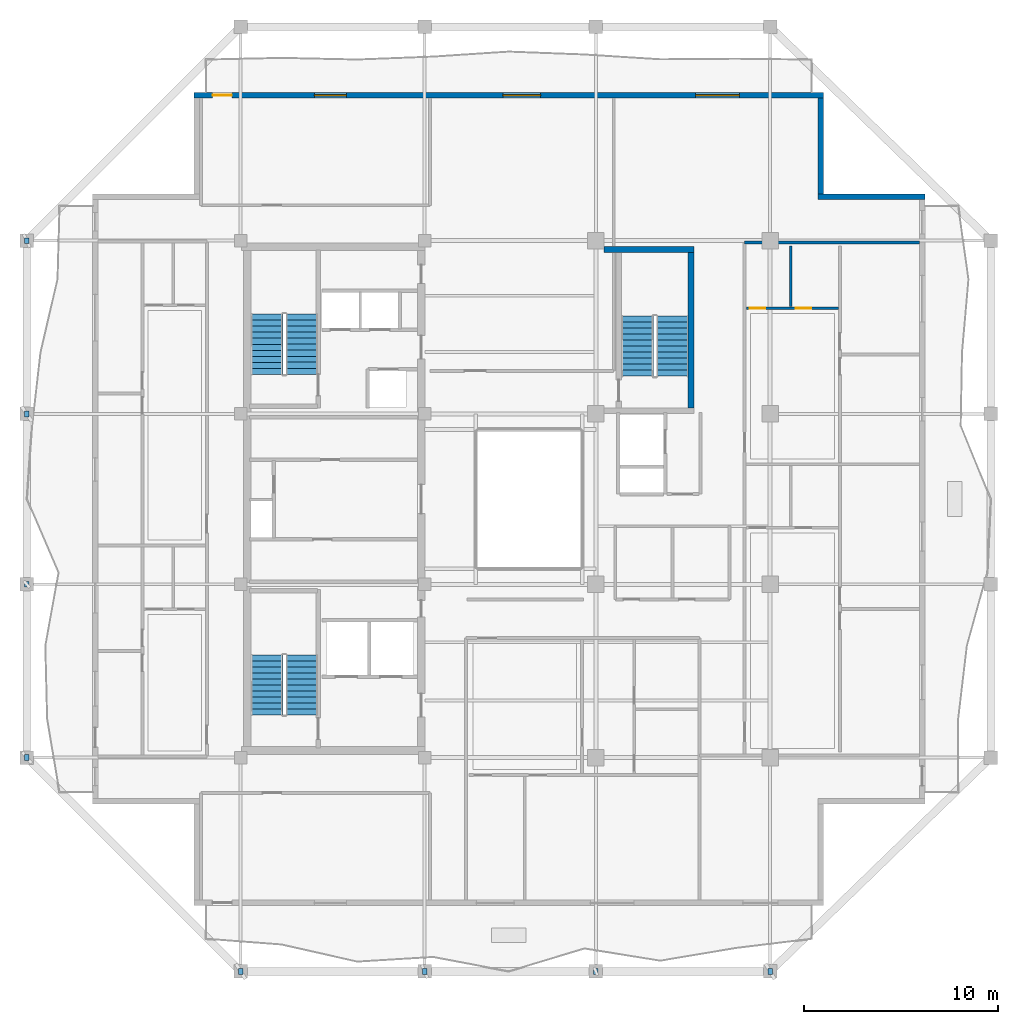
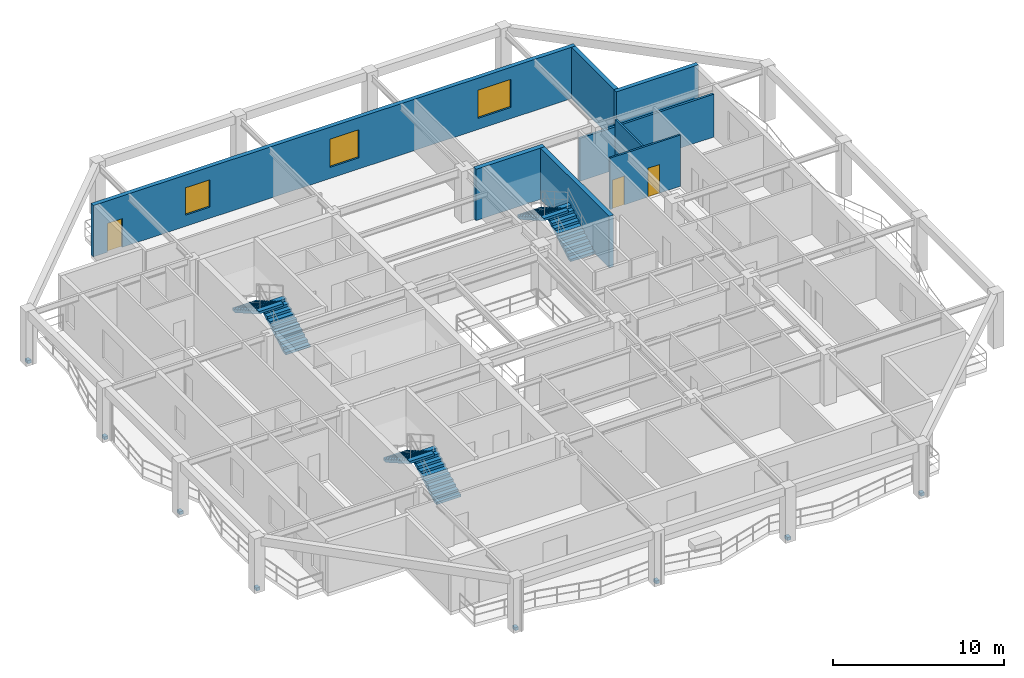
# One storey, part 6 of 12: 8 discrete accessories, 8 walls, 6 stair flights, 3 doors, 3 windows, 6 openings, 3 elements without a shape of their own.
"""IFC4 building model written with IfcOpenShell, lengths in metres."""

import ifcopenshell
import ifcopenshell.guid

model = None  # the IFC model being written
_history = None  # IfcOwnerHistory: only IFC2X3 demands one
_inside = {}  # id of a spatial element -> (the spatial element, [elements in it])
_under = {}  # id of a project, library or spatial element -> (it, [spatial elements below it])
_declared = {}  # id of a project -> (the project, [libraries it declares])
_typed = {}  # id of a type object -> (the type object, [elements of that type])
_made_of = {}  # id of a material, layer set ... -> (it, [elements and type objects made of it])


def new_model(schema):
    """Start an empty IFC model of exactly this schema.

    Asked for "IFC4X3", IfcOpenShell would pick the latest addendum, in which some entities
    have other attributes; the version numbers below select the first issue.
    IFC2X3 requires an IfcOwnerHistory on every rooted entity: one is made here for all.
    """
    global model, _history
    if schema == "IFC4X3":
        model = ifcopenshell.file(schema_version=(4, 3, 0, 0))
    else:
        model = ifcopenshell.file(schema=schema)
    _inside.clear()
    _under.clear()
    _declared.clear()
    _typed.clear()
    _made_of.clear()
    _history = None
    if model.schema == "IFC2X3":
        org = make("IfcOrganization", Name="unknown")
        user = make(
            "IfcPersonAndOrganization",
            ThePerson=make("IfcPerson", FamilyName="unknown"),
            TheOrganization=org,
        )
        app = make(
            "IfcApplication",
            ApplicationDeveloper=org,
            Version="unknown",
            ApplicationFullName="unknown",
            ApplicationIdentifier="unknown",
        )
        _history = make(
            "IfcOwnerHistory",
            OwningUser=user,
            OwningApplication=app,
            ChangeAction="ADDED",
            CreationDate=0,
        )
    return model


def make(cls, **values):
    """One entity of the class cls with the attributes given. An attribute that is None is left unset."""
    return model.create_entity(
        cls, **{name: value for name, value in values.items() if value is not None}
    )


def rooted(cls, **values):
    """An entity with a GlobalId (a new one), such as an element, a storey or a relation."""
    return make(cls, GlobalId=ifcopenshell.guid.new(), OwnerHistory=_history, **values)


def si_unit(unit_type, name, prefix=None):
    """IfcSIUnit, for example si_unit("LENGTHUNIT", "METRE", prefix="MILLI")."""
    return make("IfcSIUnit", UnitType=unit_type, Prefix=prefix, Name=name)


def assignment(units):
    """IfcUnitAssignment: the units of a project."""
    return None if units is None else make("IfcUnitAssignment", Units=units)


def point(xyz):
    """IfcCartesianPoint."""
    return None if xyz is None else make("IfcCartesianPoint", Coordinates=xyz)


def direction(xyz):
    """IfcDirection."""
    return None if xyz is None else make("IfcDirection", DirectionRatios=xyz)


def frame(location, z_axis=None, x_axis=None):
    """IfcAxis2Placement3D, a coordinate frame: its origin and axes. An axis left out is left unset."""
    return make(
        "IfcAxis2Placement3D",
        Location=point(location),
        Axis=direction(z_axis),
        RefDirection=direction(x_axis),
    )


def frame_2d(location, x_axis=None):
    """IfcAxis2Placement2D, a coordinate frame in the plane: its origin and x axis."""
    return make(
        "IfcAxis2Placement2D", Location=point(location), RefDirection=direction(x_axis)
    )


def origin():
    """The frame at (0, 0, 0) with its axes left unset."""
    return frame((0.0, 0.0, 0.0))


def origin_2d():
    """The frame at (0, 0) in the plane with its x axis left unset."""
    return frame_2d((0.0, 0.0))


def place(relative_to, where):
    """IfcLocalPlacement: puts the frame where relative to a parent placement (None: the world)."""
    return make(
        "IfcLocalPlacement", PlacementRelTo=relative_to, RelativePlacement=where
    )


def context(
    kind, dimensions, precision=None, world=None, true_north=None, identifier=None
):
    """IfcGeometricRepresentationContext, for example the 3D "Model" context."""
    return make(
        "IfcGeometricRepresentationContext",
        ContextIdentifier=identifier,
        ContextType=kind,
        CoordinateSpaceDimension=dimensions,
        Precision=precision,
        WorldCoordinateSystem=world,
        TrueNorth=true_north,
    )


def subcontext(parent, identifier, kind, view, scale=None):
    """IfcGeometricRepresentationSubContext, for example "Body" below "Model"."""
    return make(
        "IfcGeometricRepresentationSubContext",
        ContextIdentifier=identifier,
        ContextType=kind,
        ParentContext=parent,
        TargetScale=scale,
        TargetView=view,
    )


def project(units=None, contexts=None):
    """IfcProject with its units and contexts."""
    return rooted(
        "IfcProject",
        Name="project",
        RepresentationContexts=contexts,
        UnitsInContext=assignment(units),
    )


def spatial(cls, under=None, at=None, **own):
    """A site, building, storey or space (cls), placed at a placement, below another one or the project."""
    s = rooted(cls, ObjectPlacement=at, **own)
    if under is not None:
        _under.setdefault(under.id(), (under, []))[1].append(s)
    return s


def polyline(points):
    """IfcPolyline through the points."""
    return make("IfcPolyline", Points=[point(p) for p in points])


def profile(cls, at=None, kind="AREA", **sizes):
    """A parametric profile (cls). Its sizes go by their IFC names, for example OverallWidth=200.0."""
    return make(cls, ProfileType=kind, Position=at, **sizes)


def rectangle(**sizes):
    """IfcRectangleProfileDef."""
    return profile("IfcRectangleProfileDef", **sizes)


def outline(outer, holes=None, kind="AREA"):
    """IfcArbitraryClosedProfileDef: a profile drawn as a closed curve; with holes, ...WithVoids."""
    if holes is None:
        return make("IfcArbitraryClosedProfileDef", ProfileType=kind, OuterCurve=outer)
    return make(
        "IfcArbitraryProfileDefWithVoids",
        ProfileType=kind,
        OuterCurve=outer,
        InnerCurves=holes,
    )


def extrude(swept, where, along, depth):
    """IfcExtrudedAreaSolid: the profile swept, set in the frame where, extruded along a direction by depth."""
    return make(
        "IfcExtrudedAreaSolid",
        SweptArea=swept,
        Position=where,
        ExtrudedDirection=direction(along),
        Depth=depth,
    )


def shape(context_of_items, identifier, shape_type, items):
    """IfcShapeRepresentation: the items that make up one representation, for example the "Body"."""
    return make(
        "IfcShapeRepresentation",
        ContextOfItems=context_of_items,
        RepresentationIdentifier=identifier,
        RepresentationType=shape_type,
        Items=items,
    )


def material(Name=None, Category=None):
    """IfcMaterial."""
    return make("IfcMaterial", Name=Name, Category=Category)


def layer(
    of_material, thickness, ventilated=None, Name=None, Category=None, Priority=None
):
    """IfcMaterialLayer: one layer of a wall or slab, of a material (None: an air gap)."""
    return make(
        "IfcMaterialLayer",
        Material=of_material,
        LayerThickness=thickness,
        IsVentilated=ventilated,
        Name=Name,
        Category=Category,
        Priority=Priority,
    )


def layer_set(layers, Name=None):
    """IfcMaterialLayerSet."""
    return make("IfcMaterialLayerSet", MaterialLayers=layers, LayerSetName=Name)


def made_of(thing, what):
    """Note that an element or type object is made of a material, layer set ...; save() writes the relation."""
    if what is not None:
        _made_of.setdefault(what.id(), (what, []))[1].append(thing)
    return thing


def type_object(cls, material=None, **own):
    """A type object (cls), such as IfcWallType, which elements share."""
    return made_of(rooted(cls, **own), material)


def element(
    cls,
    number,
    at=None,
    inside=None,
    cuts=None,
    type_object=None,
    material=None,
    context=None,
    identifier="Body",
    shape_type=None,
    held_by="IfcProductDefinitionShape",
    body=None,
    shapes=None,
    **own,
):
    """One element of the class cls, such as IfcWall. Its Tag is "e" and its number.

    at: its placement. inside: the storey or other place that contains it. cuts: it is an
    opening in that element (IfcRelVoidsElement). A single representation is given by context,
    identifier, shape_type and body (its items); several are given by shapes. held_by: the class
    of the entity that holds the representations. save() writes the other relations.
    """
    e = rooted(cls, Tag="e%d" % number, ObjectPlacement=at, **own)
    if body is not None:
        shapes = [shape(context, identifier, shape_type, body)]
    if shapes is not None:
        e.Representation = make(held_by, Representations=shapes)
    if inside is not None:
        _inside.setdefault(inside.id(), (inside, []))[1].append(e)
    if cuts is not None:
        rooted(
            "IfcRelVoidsElement", RelatingBuildingElement=cuts, RelatedOpeningElement=e
        )
    if type_object is not None:
        _typed.setdefault(type_object.id(), (type_object, []))[1].append(e)
    return made_of(e, material)


def fill(opening, filler):
    """IfcRelFillsElement: the door or window that sits in an opening."""
    return rooted(
        "IfcRelFillsElement",
        RelatingOpeningElement=opening,
        RelatedBuildingElement=filler,
    )


def aggregate(whole, parts):
    """IfcRelAggregates: a whole, such as a stair, and the parts it consists of."""
    return rooted("IfcRelAggregates", RelatingObject=whole, RelatedObjects=parts)


def save(model, path):
    """Write the relations noted so far, then the file.

    IfcRelAggregates (storeys below a building ...), IfcRelContainedInSpatialStructure (elements
    in a storey), IfcRelDefinesByType, IfcRelAssociatesMaterial and IfcRelDeclares: one each for
    every whole, place, type object, material and project.
    """
    for whole, parts in _under.values():
        aggregate(whole, parts)
    for where, things in _inside.values():
        rooted(
            "IfcRelContainedInSpatialStructure",
            RelatedElements=things,
            RelatingStructure=where,
        )
    for kind, things in _typed.values():
        rooted("IfcRelDefinesByType", RelatedObjects=things, RelatingType=kind)
    for what, things in _made_of.values():
        rooted("IfcRelAssociatesMaterial", RelatedObjects=things, RelatingMaterial=what)
    for by, libraries in _declared.values():
        rooted("IfcRelDeclares", RelatingContext=by, RelatedDefinitions=libraries)
    model.write(path)


model = new_model("IFC4")

# Units and contexts
model_context = context("Model", 3, precision=1e-05, world=origin(), true_north=direction((0.0, 1.0)))
body_context = subcontext(model_context, "Body", "Model", "MODEL_VIEW")
ifc_project = project(units=[si_unit("LENGTHUNIT", "METRE"), si_unit("AREAUNIT", "SQUARE_METRE"), si_unit("VOLUMEUNIT", "CUBIC_METRE"), si_unit("PLANEANGLEUNIT", "RADIAN"), si_unit("MASSUNIT", "GRAM", prefix="KILO")], contexts=[model_context])

# Site, building, storey
site_placement = place(None, origin())
site = spatial("IfcSite", under=ifc_project, at=site_placement, CompositionType="ELEMENT")
building_placement = place(site_placement, origin())
building = spatial("IfcBuilding", under=site, at=building_placement, Name="Kundavana Baori Tower", CompositionType="ELEMENT")
storey_placement = place(building_placement, frame((0.0, 0.0, 245.300048828125)))
storey = spatial("IfcBuildingStorey", under=building, at=storey_placement, Name="L60", CompositionType="ELEMENT", Elevation=245.300048828125)

# Walls
ifc_material_1 = material(Name="Red-Buff Dholpur Sandstone Cladding on Concrete C40/50", Category="masonry")
ifc_layer_1 = layer(ifc_material_1, 0.280029296875, Name="WL-EXT-SAND-280")
ifc_layer_set_1 = layer_set([ifc_layer_1], Name="Red-Buff Dholpur Sandstone Cladding on Concrete C40/50")
wall_type_1 = type_object("IfcWallType", Name="WL-EXT-SAND-280", PredefinedType="STANDARD", material=ifc_layer_set_1)
wall_1_placement = place(storey_placement, frame((50.800048828125, 44.2099609375, 0.0), z_axis=(0.0, 0.0, 1.0), x_axis=(-1.0, 0.0, 0.0)))
element("IfcWall", 1, at=wall_1_placement, inside=storey, type_object=wall_type_1, Name="L60 Exterior Insulated Facade Wall 05", PredefinedType="STANDARD", context=body_context, shape_type="SweptSolid", body=[
    extrude(rectangle(XDim=5.530029296875, YDim=0.280029296875, at=frame_2d((2.76513671875, 0.0))), origin(), (0.0, 0.0, 1.0), 3.659912109375),
])
wall_2_placement = place(storey_placement, frame((45.409912109375, 44.35009765625, 0.0), z_axis=(0.0, 0.0, 1.0), x_axis=(0.0, 1.0, 0.0)))
element("IfcWall", 2, at=wall_2_placement, inside=storey, type_object=wall_type_1, Name="L60 Exterior Insulated Facade Wall 06", PredefinedType="STANDARD", context=body_context, shape_type="SweptSolid", body=[
    extrude(rectangle(XDim=4.969970703125, YDim=0.280029296875, at=frame_2d((2.48486328125, 0.0))), origin(), (0.0, 0.0, 1.0), 3.659912109375),
])

# Wall, openings, door, windows
wall_3_placement = place(storey_placement, frame((45.550048828125, 49.4599609375, 0.0), z_axis=(0.0, 0.0, 1.0), x_axis=(-1.0, 0.0, 0.0)))
wall_3 = element("IfcWall", 3, at=wall_3_placement, inside=storey, type_object=wall_type_1, Name="L60 Exterior Insulated Facade Wall 07", PredefinedType="STANDARD", context=body_context, shape_type="SweptSolid", body=[
    extrude(rectangle(XDim=32.5, YDim=0.280029296875, at=frame_2d((16.25, 0.0))), origin(), (0.0, 0.0, 1.0), 3.659912109375),
])
opening_1_placement = place(wall_3_placement, frame((30.550048828125, 0.0, 0.0)))
opening_1 = element("IfcOpeningElement", 4, at=opening_1_placement, cuts=wall_3, Name="Opening BD-1", PredefinedType="OPENING", context=body_context, shape_type="SweptSolid", body=[
    extrude(rectangle(XDim=1.0, YDim=2.050048828125, at=frame_2d((0.5, 1.02490234375))), frame((0.0, 0.14990234375, 0.0), z_axis=(0.0, -1.0, 0.0), x_axis=(1.0, 0.0, 0.0)), (0.0, 0.0, 1.0), 0.300048828125),
])
opening_2_placement = place(wall_3_placement, frame((24.639892578125, 0.0, 0.800048828125)))
opening_2 = element("IfcOpeningElement", 5, at=opening_2_placement, cuts=wall_3, Name="Opening W-08", PredefinedType="OPENING", context=body_context, shape_type="SweptSolid", body=[
    extrude(rectangle(XDim=1.64990234375, YDim=1.949951171875, at=frame_2d((0.824951171875, 0.97509765625))), frame((0.0, 0.14990234375, 0.0), z_axis=(0.0, -1.0, 0.0), x_axis=(1.0, 0.0, 0.0)), (0.0, 0.0, 1.0), 0.300048828125),
])
opening_3_placement = place(wall_3_placement, frame((14.60498046875, 0.0, 0.800048828125)))
opening_3 = element("IfcOpeningElement", 6, at=opening_3_placement, cuts=wall_3, Name="Opening W-09", PredefinedType="OPENING", context=body_context, shape_type="SweptSolid", body=[
    extrude(rectangle(XDim=1.949951171875, YDim=2.0, at=frame_2d((0.97509765625, 1.0))), frame((0.0, 0.14990234375, 0.0), z_axis=(0.0, -1.0, 0.0), x_axis=(1.0, 0.0, 0.0)), (0.0, 0.0, 1.0), 0.300048828125),
])
opening_4_placement = place(wall_3_placement, frame((4.344970703125, 0.0, 0.800048828125)))
opening_4 = element("IfcOpeningElement", 7, at=opening_4_placement, cuts=wall_3, Name="Opening W-10", PredefinedType="OPENING", context=body_context, shape_type="SweptSolid", body=[
    extrude(rectangle(XDim=2.25, YDim=2.0, at=frame_2d((1.125, 1.0))), frame((0.0, 0.14990234375, 0.0), z_axis=(0.0, -1.0, 0.0), x_axis=(1.0, 0.0, 0.0)), (0.0, 0.0, 1.0), 0.300048828125),
])
ifc_material_2 = material(Name="Architectural Patinated Bronze Metalwork")
door_type_1 = type_object("IfcDoorType", Name="DR-EXT-LOG-1000", OperationType="NOTDEFINED", PredefinedType="DOOR", material=ifc_material_2)
door_1_placement = place(opening_1_placement, frame((1.0, 0.0, 0.0), z_axis=(0.0, 0.0, 1.0), x_axis=(-1.0, 0.0, 0.0)))
door_1 = element("IfcDoor", 8, at=door_1_placement, inside=storey, type_object=door_type_1, Name="L60 Loggia Balcony Access Door N", OperationType="SINGLE_SWING_LEFT", OverallHeight=2.050048828125, OverallWidth=1.0, PredefinedType="DOOR", context=body_context, shape_type="SweptSolid", body=[
    extrude(rectangle(XDim=1.0, YDim=2.050048828125, at=frame_2d((0.5, 1.02490234375))), frame((0.0, 0.02490234375, 0.0), z_axis=(0.0, -1.0, 0.0), x_axis=(1.0, 0.0, 0.0)), (0.0, 0.0, 1.0), 0.050048828125),
])
fill(opening_1, door_1)
ifc_material_3 = material(Name="Double-Glazed Solar-Control Low-E Insulated Glass", Category="glass")
window_type_1 = type_object("IfcWindowType", Name="WIN-LOG-1650x1950", PartitioningType="SINGLE_PANEL", PredefinedType="WINDOW", material=ifc_material_3)
window_1_placement = place(opening_2_placement, origin())
window_1 = element("IfcWindow", 9, at=window_1_placement, inside=storey, type_object=window_type_1, Name="L60 Recessed Loggia Window N-1", OverallHeight=1.949951171875, OverallWidth=1.64990234375, PartitioningType="SINGLE_PANEL", PredefinedType="WINDOW", context=body_context, shape_type="SweptSolid", body=[
    extrude(rectangle(XDim=1.64990234375, YDim=1.949951171875, at=frame_2d((0.824951171875, 0.97509765625))), frame((0.0, 0.030029296875, 0.0), z_axis=(0.0, -1.0, 0.0), x_axis=(1.0, 0.0, 0.0)), (0.0, 0.0, 1.0), 0.06005859375),
])
fill(opening_2, window_1)
ifc_material_4 = material(Name="Double-Glazed Solar-Control Low-E Insulated Glass", Category="glass")
window_type_2 = type_object("IfcWindowType", Name="WIN-LOG-1950x2000", PartitioningType="SINGLE_PANEL", PredefinedType="WINDOW", material=ifc_material_4)
window_2_placement = place(opening_3_placement, origin())
window_2 = element("IfcWindow", 10, at=window_2_placement, inside=storey, type_object=window_type_2, Name="L60 Recessed Loggia Window N-2", OverallHeight=2.0, OverallWidth=1.949951171875, PartitioningType="SINGLE_PANEL", PredefinedType="WINDOW", context=body_context, shape_type="SweptSolid", body=[
    extrude(rectangle(XDim=1.949951171875, YDim=2.0, at=frame_2d((0.97509765625, 1.0))), frame((0.0, 0.030029296875, 0.0), z_axis=(0.0, -1.0, 0.0), x_axis=(1.0, 0.0, 0.0)), (0.0, 0.0, 1.0), 0.06005859375),
])
fill(opening_3, window_2)
ifc_material_5 = material(Name="Double-Glazed Solar-Control Low-E Insulated Glass", Category="glass")
window_type_3 = type_object("IfcWindowType", Name="WIN-LOG-2250x2000", PartitioningType="SINGLE_PANEL", PredefinedType="WINDOW", material=ifc_material_5)
window_3_placement = place(opening_4_placement, origin())
window_3 = element("IfcWindow", 11, at=window_3_placement, inside=storey, type_object=window_type_3, Name="L60 Recessed Loggia Window N-3", OverallHeight=2.0, OverallWidth=2.25, PartitioningType="SINGLE_PANEL", PredefinedType="WINDOW", context=body_context, shape_type="SweptSolid", body=[
    extrude(rectangle(XDim=2.25, YDim=2.0, at=frame_2d((1.125, 1.0))), frame((0.0, 0.030029296875, 0.0), z_axis=(0.0, -1.0, 0.0), x_axis=(1.0, 0.0, 0.0)), (0.0, 0.0, 1.0), 0.06005859375),
])
fill(opening_4, window_3)

# Walls
ifc_material_6 = material(Name="Fire-Rated Gypsum Drywall on Galvanised Steel Studs", Category="steel")
ifc_layer_2 = layer(ifc_material_6, 0.14990234375, Name="WL-PART-150")
ifc_layer_set_2 = layer_set([ifc_layer_2], Name="Fire-Rated Gypsum Drywall on Galvanised Steel Studs")
wall_type_2 = type_object("IfcWallType", Name="WL-PART-150", PredefinedType="PARTITIONING", material=ifc_layer_set_2)
wall_4_placement = place(storey_placement, frame((41.47998046875, 41.85009765625, 0.0), z_axis=(0.0, 0.0, 1.0), x_axis=(1.0, 0.0, 0.0)))
element("IfcWall", 12, at=wall_4_placement, inside=storey, type_object=wall_type_2, Name="WL-L60-REN", PredefinedType="PARTITIONING", context=body_context, shape_type="SweptSolid", body=[
    extrude(rectangle(XDim=9.0400390625, YDim=0.14990234375, at=frame_2d((4.52001953125, 0.0))), origin(), (0.0, 0.0, 1.0), 3.06005859375),
])
ifc_material_7 = material(Name="Concrete C50/60", Category="concrete")
ifc_layer_3 = layer(ifc_material_7, 0.300048828125, Name="WL-ST3-300")
ifc_layer_set_3 = layer_set([ifc_layer_3], Name="Concrete C50/60")
wall_type_3 = type_object("IfcWallType", Name="WL-ST3-300", PredefinedType="SHEAR", material=ifc_layer_set_3)
wall_5_placement = place(storey_placement, frame((34.22509765625, 41.489990234375, 0.0), z_axis=(0.0, 0.0, 1.0), x_axis=(1.0, 0.0, 0.0)))
element("IfcWall", 13, at=wall_5_placement, inside=storey, type_object=wall_type_3, Name="L60 Stair ST3 North Shear Wall", PredefinedType="SHEAR", context=body_context, shape_type="SweptSolid", body=[
    extrude(rectangle(XDim=4.64501953125, YDim=0.300048828125, at=frame_2d((2.322509765625, 0.0))), origin(), (0.0, 0.0, 1.0), 3.659912109375),
])
wall_6_placement = place(storey_placement, frame((38.719970703125, 33.31005859375, 0.0), z_axis=(0.0, 0.0, 1.0), x_axis=(0.0, 1.0, 0.0)))
element("IfcWall", 14, at=wall_6_placement, inside=storey, type_object=wall_type_3, Name="L60 Stair ST3 East Shear Wall", PredefinedType="SHEAR", context=body_context, shape_type="SweptSolid", body=[
    extrude(rectangle(XDim=8.030029296875, YDim=0.300048828125, at=frame_2d((4.01513671875, 0.0))), origin(), (0.0, 0.0, 1.0), 3.659912109375),
])

# Wall, openings, doors
ifc_material_8 = material(Name="Autoclaved Aerated Concrete Blockwork Masonry", Category="masonry")
ifc_layer_4 = layer(ifc_material_8, 0.125, Name="WL-WET-120")
ifc_layer_set_4 = layer_set([ifc_layer_4], Name="Autoclaved Aerated Concrete Blockwork Masonry")
wall_type_4 = type_object("IfcWallType", Name="WL-WET-120", PredefinedType="PLUMBINGWALL", material=ifc_layer_set_4)
wall_7_placement = place(storey_placement, frame((41.580078125, 38.469970703125, 0.0), z_axis=(0.0, 0.0, 1.0), x_axis=(1.0, 0.0, 0.0)))
wall_7 = element("IfcWall", 15, at=wall_7_placement, inside=storey, type_object=wall_type_4, Name="WL-L60-E2-KH", PredefinedType="PLUMBINGWALL", context=body_context, shape_type="SweptSolid", body=[
    extrude(rectangle(XDim=4.747802734375, YDim=0.125, at=frame_2d((2.3740234375, 0.0))), origin(), (0.0, 0.0, 1.0), 3.659912109375),
])
opening_5_placement = place(wall_7_placement, frame((0.159912109375, 0.0, 0.0)))
opening_5 = element("IfcOpeningElement", 16, at=opening_5_placement, cuts=wall_7, Name="Opening WD-080", PredefinedType="OPENING", context=body_context, shape_type="SweptSolid", body=[
    extrude(rectangle(XDim=0.800048828125, YDim=2.050048828125, at=frame_2d((0.39990234375, 1.02490234375))), frame((0.0, 0.072509765625, 0.0), z_axis=(0.0, -1.0, 0.0), x_axis=(1.0, 0.0, 0.0)), (0.0, 0.0, 1.0), 0.14501953125),
])
opening_6_placement = place(wall_7_placement, frame((2.5390625, 0.0, 0.0)))
opening_6 = element("IfcOpeningElement", 17, at=opening_6_placement, cuts=wall_7, Name="Opening WD-080", PredefinedType="OPENING", context=body_context, shape_type="SweptSolid", body=[
    extrude(rectangle(XDim=0.800048828125, YDim=2.050048828125, at=frame_2d((0.39990234375, 1.02490234375))), frame((0.0, 0.072509765625, 0.0), z_axis=(0.0, -1.0, 0.0), x_axis=(1.0, 0.0, 0.0)), (0.0, 0.0, 1.0), 0.14501953125),
])
ifc_material_9 = material(Name="Engineered Teak Solid-Core Timber Veneer", Category="wood")
door_type_2 = type_object("IfcDoorType", Name="DR-WET-800", OperationType="NOTDEFINED", PredefinedType="DOOR", material=ifc_material_9)
door_2_placement = place(opening_5_placement, origin())
door_2 = element("IfcDoor", 18, at=door_2_placement, inside=storey, type_object=door_type_2, Name="DR-L60-E2-BT", OperationType="SINGLE_SWING_LEFT", OverallHeight=2.050048828125, OverallWidth=0.800048828125, PredefinedType="DOOR", context=body_context, shape_type="SweptSolid", body=[
    extrude(rectangle(XDim=0.800048828125, YDim=2.050048828125, at=frame_2d((0.39990234375, 1.02490234375))), frame((0.0, 0.02490234375, 0.0), z_axis=(0.0, -1.0, 0.0), x_axis=(1.0, 0.0, 0.0)), (0.0, 0.0, 1.0), 0.050048828125),
])
fill(opening_5, door_2)
door_3_placement = place(opening_6_placement, origin())
door_3 = element("IfcDoor", 19, at=door_3_placement, inside=storey, type_object=door_type_2, Name="DR-L60-E2-KT", OperationType="SINGLE_SWING_RIGHT", OverallHeight=2.050048828125, OverallWidth=0.800048828125, PredefinedType="DOOR", context=body_context, shape_type="SweptSolid", body=[
    extrude(rectangle(XDim=0.800048828125, YDim=2.050048828125, at=frame_2d((0.39990234375, 1.02490234375))), frame((0.0, 0.02490234375, 0.0), z_axis=(0.0, -1.0, 0.0), x_axis=(1.0, 0.0, 0.0)), (0.0, 0.0, 1.0), 0.050048828125),
])
fill(opening_6, door_3)

# Wall
wall_8_placement = place(storey_placement, frame((43.85888671875, 38.550048828125, 0.0), z_axis=(0.0, 0.0, 1.0), x_axis=(0.0, 1.0, 0.0)))
element("IfcWall", 20, at=wall_8_placement, inside=storey, type_object=wall_type_4, Name="WL-L60-E2-BV", PredefinedType="PLUMBINGWALL", context=body_context, shape_type="SweptSolid", body=[
    extrude(rectangle(XDim=3.119873046875, YDim=0.125, at=frame_2d((1.56005859375, 0.0))), origin(), (0.0, 0.0, 1.0), 3.659912109375),
])

# Stair, stair flights
ifc_material_10 = material(Name="Concrete C40/50", Category="concrete")
stair_type = type_object("IfcStairType", Name="STR-DOG-1650", PredefinedType="HALF_TURN_STAIR", material=ifc_material_10)
stair_1_placement = place(storey_placement, origin())
stair_1 = element("IfcStair", 21, at=stair_1_placement, inside=storey, type_object=stair_type, Name="L60 Protected Exit Stair ST1", PredefinedType="HALF_TURN_STAIR")
ifc_material_11 = material(Name="Concrete C40/50", Category="concrete")
stair_flight_type = type_object("IfcStairFlightType", Name="SFL-RC-1650", PredefinedType="STRAIGHT", material=ifc_material_11)
stair_flight_1_placement = place(storey_placement, frame((18.614990234375, 17.449951171875, 0.0), z_axis=(0.0, 0.0, 1.0), x_axis=(0.0, 1.0, 0.0)))
stair_flight_1 = element("IfcStairFlight", 22, at=stair_flight_1_placement, type_object=stair_flight_type, Name="ST1 flight 1", NumberOfRisers=11, NumberOfTreads=10, PredefinedType="STRAIGHT", RiserHeight=0.177272727, TreadLength=0.31, context=body_context, shape_type="SweptSolid", body=[
    extrude(outline(polyline([(0.0, 0.0), (0.0, 0.17724609375), (0.31005859375, 0.17724609375), (0.31005859375, 0.3544921875), (0.6201171875, 0.3544921875), (0.6201171875, 0.53173828125), (0.929931640625, 0.53173828125), (0.929931640625, 0.708984375), (1.239990234375, 0.708984375), (1.239990234375, 0.886474609375), (1.550048828125, 0.886474609375), (1.550048828125, 1.063720703125), (1.860107421875, 1.063720703125), (1.860107421875, 1.240966796875), (2.169921875, 1.240966796875), (2.169921875, 1.418212890625), (2.47998046875, 1.418212890625), (2.47998046875, 1.595458984375), (2.7900390625, 1.595458984375), (2.7900390625, 1.772705078125), (3.10009765625, 1.772705078125), (3.10009765625, 1.949951171875), (3.10009765625, 1.60009765625), (0.302001953125, 0.0), (0.0, 0.0)])), frame((0.0, 0.824951171875, 0.0), z_axis=(0.0, -1.0, 0.0), x_axis=(1.0, 0.0, 0.0)), (0.0, 0.0, 1.0), 1.64990234375),
])
stair_flight_2_placement = place(storey_placement, frame((16.804931640625, 20.550048828125, 1.949951171875), z_axis=(0.0, 0.0, 1.0), x_axis=(0.0, -1.0, 0.0)))
stair_flight_2 = element("IfcStairFlight", 23, at=stair_flight_2_placement, type_object=stair_flight_type, Name="ST1 flight 2", NumberOfRisers=11, NumberOfTreads=10, PredefinedType="STRAIGHT", RiserHeight=0.177272727, TreadLength=0.31, context=body_context, shape_type="SweptSolid", body=[
    extrude(outline(polyline([(0.0, 0.0), (0.0, 0.17724609375), (0.31005859375, 0.17724609375), (0.31005859375, 0.3544921875), (0.6201171875, 0.3544921875), (0.6201171875, 0.53173828125), (0.929931640625, 0.53173828125), (0.929931640625, 0.708984375), (1.239990234375, 0.708984375), (1.239990234375, 0.886474609375), (1.550048828125, 0.886474609375), (1.550048828125, 1.063720703125), (1.860107421875, 1.063720703125), (1.860107421875, 1.240966796875), (2.169921875, 1.240966796875), (2.169921875, 1.418212890625), (2.47998046875, 1.418212890625), (2.47998046875, 1.595458984375), (2.7900390625, 1.595458984375), (2.7900390625, 1.772705078125), (3.10009765625, 1.772705078125), (3.10009765625, 1.949951171875), (3.10009765625, 1.60009765625), (0.302001953125, 0.0), (0.0, 0.0)])), frame((0.0, 0.824951171875, 0.0), z_axis=(0.0, -1.0, 0.0), x_axis=(1.0, 0.0, 0.0)), (0.0, 0.0, 1.0), 1.64990234375),
])
aggregate(stair_1, [stair_flight_1, stair_flight_2])

stair_2_placement = place(storey_placement, origin())
stair_2 = element("IfcStair", 24, at=stair_2_placement, inside=storey, type_object=stair_type, Name="L60 Protected Exit Stair ST2", PredefinedType="HALF_TURN_STAIR")
stair_flight_3_placement = place(storey_placement, frame((18.614990234375, 35.050048828125, 0.0), z_axis=(0.0, 0.0, 1.0), x_axis=(0.0, 1.0, 0.0)))
stair_flight_3 = element("IfcStairFlight", 25, at=stair_flight_3_placement, type_object=stair_flight_type, Name="ST2 flight 1", NumberOfRisers=11, NumberOfTreads=10, PredefinedType="STRAIGHT", RiserHeight=0.177272727, TreadLength=0.31, context=body_context, shape_type="SweptSolid", body=[
    extrude(outline(polyline([(0.0, 0.0), (0.0, 0.17724609375), (0.31005859375, 0.17724609375), (0.31005859375, 0.3544921875), (0.6201171875, 0.3544921875), (0.6201171875, 0.53173828125), (0.929931640625, 0.53173828125), (0.929931640625, 0.708984375), (1.239990234375, 0.708984375), (1.239990234375, 0.886474609375), (1.550048828125, 0.886474609375), (1.550048828125, 1.063720703125), (1.860107421875, 1.063720703125), (1.860107421875, 1.240966796875), (2.169921875, 1.240966796875), (2.169921875, 1.418212890625), (2.47998046875, 1.418212890625), (2.47998046875, 1.595458984375), (2.7900390625, 1.595458984375), (2.7900390625, 1.772705078125), (3.10009765625, 1.772705078125), (3.10009765625, 1.949951171875), (3.10009765625, 1.60009765625), (0.302001953125, 0.0), (0.0, 0.0)])), frame((0.0, 0.824951171875, 0.0), z_axis=(0.0, -1.0, 0.0), x_axis=(1.0, 0.0, 0.0)), (0.0, 0.0, 1.0), 1.64990234375),
])
stair_flight_4_placement = place(storey_placement, frame((16.804931640625, 38.14990234375, 1.949951171875), z_axis=(0.0, 0.0, 1.0), x_axis=(0.0, -1.0, 0.0)))
stair_flight_4 = element("IfcStairFlight", 26, at=stair_flight_4_placement, type_object=stair_flight_type, Name="ST2 flight 2", NumberOfRisers=11, NumberOfTreads=10, PredefinedType="STRAIGHT", RiserHeight=0.177272727, TreadLength=0.31, context=body_context, shape_type="SweptSolid", body=[
    extrude(outline(polyline([(0.0, 0.0), (0.0, 0.17724609375), (0.31005859375, 0.17724609375), (0.31005859375, 0.3544921875), (0.6201171875, 0.3544921875), (0.6201171875, 0.53173828125), (0.929931640625, 0.53173828125), (0.929931640625, 0.708984375), (1.239990234375, 0.708984375), (1.239990234375, 0.886474609375), (1.550048828125, 0.886474609375), (1.550048828125, 1.063720703125), (1.860107421875, 1.063720703125), (1.860107421875, 1.240966796875), (2.169921875, 1.240966796875), (2.169921875, 1.418212890625), (2.47998046875, 1.418212890625), (2.47998046875, 1.595458984375), (2.7900390625, 1.595458984375), (2.7900390625, 1.772705078125), (3.10009765625, 1.772705078125), (3.10009765625, 1.949951171875), (3.10009765625, 1.60009765625), (0.302001953125, 0.0), (0.0, 0.0)])), frame((0.0, 0.824951171875, 0.0), z_axis=(0.0, -1.0, 0.0), x_axis=(1.0, 0.0, 0.0)), (0.0, 0.0, 1.0), 1.64990234375),
])
aggregate(stair_2, [stair_flight_3, stair_flight_4])

stair_3_placement = place(storey_placement, origin())
stair_3 = element("IfcStair", 27, at=stair_3_placement, inside=storey, type_object=stair_type, Name="L60 Protected Exit Stair ST3", PredefinedType="HALF_TURN_STAIR")
stair_flight_5_placement = place(storey_placement, frame((37.7548828125, 34.949951171875, 0.0), z_axis=(0.0, 0.0, 1.0), x_axis=(0.0, 1.0, 0.0)))
stair_flight_5 = element("IfcStairFlight", 28, at=stair_flight_5_placement, type_object=stair_flight_type, Name="ST3 flight 1", NumberOfRisers=11, NumberOfTreads=10, PredefinedType="STRAIGHT", RiserHeight=0.177272727, TreadLength=0.31, context=body_context, shape_type="SweptSolid", body=[
    extrude(outline(polyline([(0.0, 0.0), (0.0, 0.17724609375), (0.31005859375, 0.17724609375), (0.31005859375, 0.3544921875), (0.6201171875, 0.3544921875), (0.6201171875, 0.53173828125), (0.929931640625, 0.53173828125), (0.929931640625, 0.708984375), (1.239990234375, 0.708984375), (1.239990234375, 0.886474609375), (1.550048828125, 0.886474609375), (1.550048828125, 1.063720703125), (1.860107421875, 1.063720703125), (1.860107421875, 1.240966796875), (2.169921875, 1.240966796875), (2.169921875, 1.418212890625), (2.47998046875, 1.418212890625), (2.47998046875, 1.595458984375), (2.7900390625, 1.595458984375), (2.7900390625, 1.772705078125), (3.10009765625, 1.772705078125), (3.10009765625, 1.949951171875), (3.10009765625, 1.60009765625), (0.302001953125, 0.0), (0.0, 0.0)])), frame((0.0, 0.824951171875, 0.0), z_axis=(0.0, -1.0, 0.0), x_axis=(1.0, 0.0, 0.0)), (0.0, 0.0, 1.0), 1.64990234375),
])
stair_flight_6_placement = place(storey_placement, frame((35.945068359375, 38.050048828125, 1.949951171875), z_axis=(0.0, 0.0, 1.0), x_axis=(0.0, -1.0, 0.0)))
stair_flight_6 = element("IfcStairFlight", 29, at=stair_flight_6_placement, type_object=stair_flight_type, Name="ST3 flight 2", NumberOfRisers=11, NumberOfTreads=10, PredefinedType="STRAIGHT", RiserHeight=0.177272727, TreadLength=0.31, context=body_context, shape_type="SweptSolid", body=[
    extrude(outline(polyline([(0.0, 0.0), (0.0, 0.17724609375), (0.31005859375, 0.17724609375), (0.31005859375, 0.3544921875), (0.6201171875, 0.3544921875), (0.6201171875, 0.53173828125), (0.929931640625, 0.53173828125), (0.929931640625, 0.708984375), (1.239990234375, 0.708984375), (1.239990234375, 0.886474609375), (1.550048828125, 0.886474609375), (1.550048828125, 1.063720703125), (1.860107421875, 1.063720703125), (1.860107421875, 1.240966796875), (2.169921875, 1.240966796875), (2.169921875, 1.418212890625), (2.47998046875, 1.418212890625), (2.47998046875, 1.595458984375), (2.7900390625, 1.595458984375), (2.7900390625, 1.772705078125), (3.10009765625, 1.772705078125), (3.10009765625, 1.949951171875), (3.10009765625, 1.60009765625), (0.302001953125, 0.0), (0.0, 0.0)])), frame((0.0, 0.824951171875, 0.0), z_axis=(0.0, -1.0, 0.0), x_axis=(1.0, 0.0, 0.0)), (0.0, 0.0, 1.0), 1.64990234375),
])
aggregate(stair_3, [stair_flight_5, stair_flight_6])

# Discrete accessories
ifc_material_12 = material(Name="Structural Steel S355JR", Category="steel")
discrete_accessory_type = type_object("IfcDiscreteAccessoryType", Name="ACC-BRK-FIN", PredefinedType="BRACKET", material=ifc_material_12)
for number, where, z_axis, x_axis, name in (
    (30, (15.449951171875, 4.199951171875, 0.0), (0.0, 0.0, 1.0), (1.0, 0.0, 0.0), "L60 Stainless Fin Anchor Bracket 1"),
    (31, (24.949951171875, 4.199951171875, 0.0), (0.0, 0.0, 1.0), (1.0, 0.0, 0.0), "L60 Stainless Fin Anchor Bracket 2"),
    (32, (33.800048828125, 4.199951171875, 0.0), (0.0, 0.0, 1.0), (1.0, 0.0, 0.0), "L60 Stainless Fin Anchor Bracket 3"),
    (33, (42.800048828125, 4.199951171875, 0.0), (0.0, 0.0, 1.0), (1.0, 0.0, 0.0), "L60 Stainless Fin Anchor Bracket 4"),
    (34, (4.39990234375, 15.25, 0.0), (0.0, 0.0, 1.0), (1.0, 0.0, 0.0), "L60 Stainless Fin Anchor Bracket 5"),
    (35, (4.39990234375, 24.199951171875, 0.0), (0.0, 0.0, 1.0), (1.0, 0.0, 0.0), "L60 Stainless Fin Anchor Bracket 6"),
    (36, (4.39990234375, 33.0, 0.0), (0.0, 0.0, 1.0), (1.0, 0.0, 0.0), "L60 Stainless Fin Anchor Bracket 7"),
    (37, (4.39990234375, 41.949951171875, 0.0), (0.0, 0.0, 1.0), (1.0, 0.0, 0.0), "L60 Stainless Fin Anchor Bracket 8"),
):
    element("IfcDiscreteAccessory", number, at=place(storey_placement, frame(where, z_axis=z_axis, x_axis=x_axis)), inside=storey, type_object=discrete_accessory_type, Name=name, PredefinedType="BRACKET", context=body_context, shape_type="SweptSolid", body=[
        extrude(rectangle(XDim=0.239990234375, YDim=0.300048828125, at=origin_2d()), origin(), (0.0, 0.0, 1.0), 0.219970703125),
    ])

save(model, "model.ifc")
